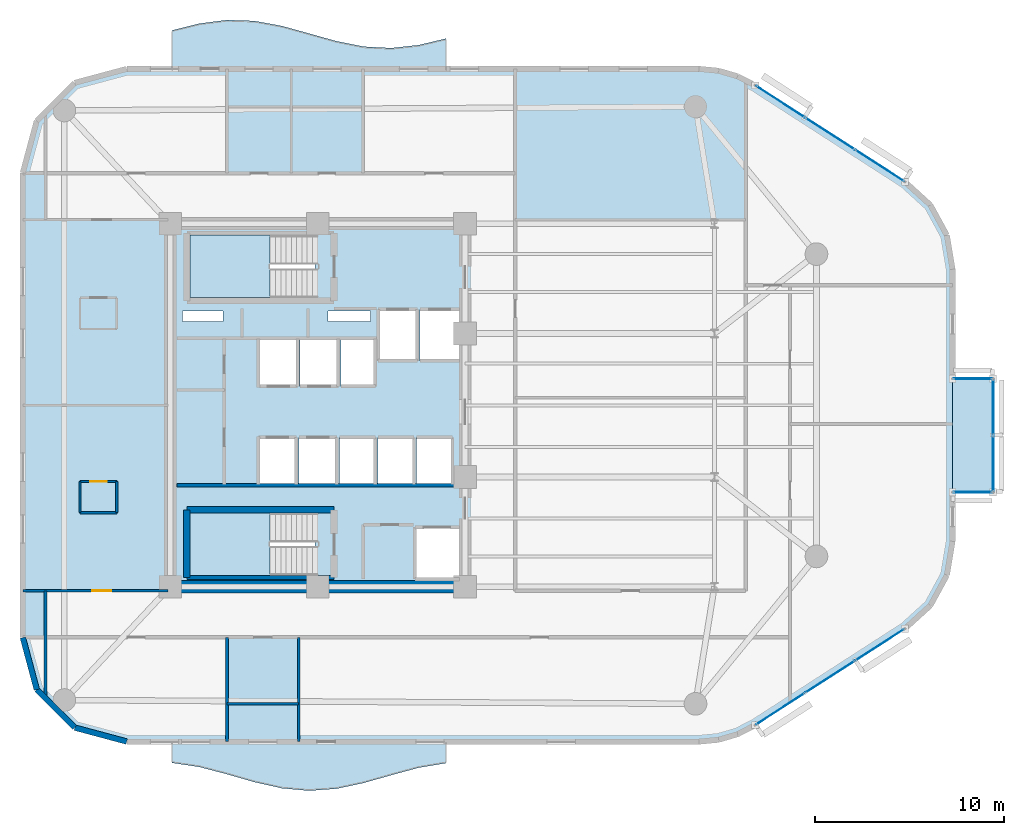
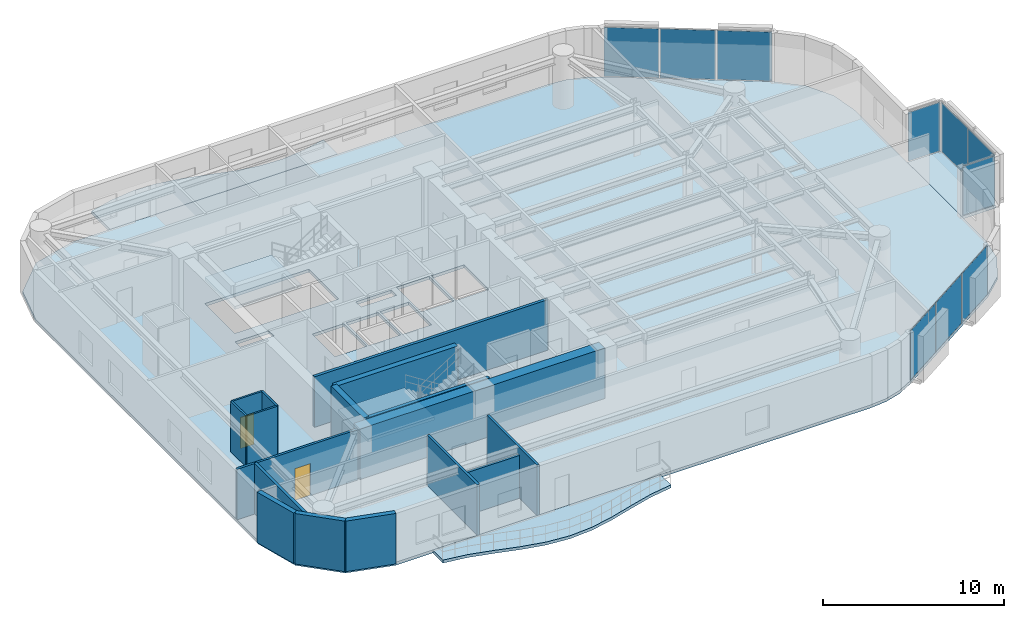
# One storey, part 10 of 16: 17 walls, 10 plates, 6 slabs, 2 doors, 2 openings, 7 elements without a shape of their own.
"""IFC4 building model written with IfcOpenShell, lengths in metres."""

from ifc_helpers import new_model, si_unit, direction, frame, frame_2d, origin, origin_2d, place, context, subcontext, project, spatial, polyline, rectangle, outline, extrude, material, layer, layer_set, type_object, element, fill, aggregate, save


model = new_model("IFC4")

# Units and contexts
model_context = context("Model", 3, precision=1e-05, world=origin(), true_north=direction((0.0, 1.0)))
body_context = subcontext(model_context, "Body", "Model", "MODEL_VIEW")
ifc_project = project(units=[si_unit("LENGTHUNIT", "METRE"), si_unit("AREAUNIT", "SQUARE_METRE"), si_unit("VOLUMEUNIT", "CUBIC_METRE"), si_unit("PLANEANGLEUNIT", "RADIAN"), si_unit("MASSUNIT", "GRAM", prefix="KILO")], contexts=[model_context])

# Site, building, storey
site_placement = place(None, origin())
site = spatial("IfcSite", under=ifc_project, at=site_placement, CompositionType="ELEMENT")
building_placement = place(site_placement, origin())
building = spatial("IfcBuilding", under=site, at=building_placement, Name="An Khanh Terracotta Commons", CompositionType="ELEMENT")
storey_placement = place(building_placement, frame((0.0, 0.0, 172.60009765625)))
storey = spatial("IfcBuildingStorey", under=building, at=storey_placement, Name="L45", CompositionType="ELEMENT", Elevation=172.60009765625)

# Curtain wall, plates
ifc_material_1 = material(Name="Anodised Aluminium 6063-T6", Category="aluminium")
ifc_layer_1 = layer(ifc_material_1, 0.2099609375, Name="Anodised Aluminium 6063-T6")
ifc_layer_set_1 = layer_set([ifc_layer_1], Name="Anodised Aluminium 6063-T6")
curtain_wall_type_1 = type_object("IfcCurtainWallType", Name="CW-SYS-03", PredefinedType="USERDEFINED", material=ifc_layer_set_1)
curtain_wall_1_placement = place(storey_placement, origin())
curtain_wall_1 = element("IfcCurtainWall", 1, at=curtain_wall_1_placement, inside=storey, type_object=curtain_wall_type_1, Name="L45 CW-03 Unitised Curtain Wall CW-L45-08", ObjectType="UNITISED CURTAIN WALL", PredefinedType="USERDEFINED")
ifc_material_2 = material(Name="Acoustic Laminated Low-E Glazing", Category="glass")
ifc_layer_2 = layer(ifc_material_2, 0.035888671875, Name="Acoustic Laminated Low-E Glazing")
ifc_layer_set_2 = layer_set([ifc_layer_2], Name="Acoustic Laminated Low-E Glazing")
plate_type_1 = type_object("IfcPlateType", Name="CWP-IGU-36", PredefinedType="CURTAIN_PANEL", material=ifc_layer_set_2)
plate_1_placement = place(storey_placement, frame((53.894287109375, 7.935546875, 0.0498046875), z_axis=(0.0, 0.0, 1.0), x_axis=(0.840702081986, 0.541497931062, 0.0)))
plate_1 = element("IfcPlate", 2, at=plate_1_placement, type_object=plate_type_1, Name="CW-03 panel 1.1", PredefinedType="CURTAIN_PANEL", context=body_context, shape_type="SweptSolid", body=[
    extrude(rectangle(XDim=3.034423828125, YDim=0.035888671875, at=origin_2d()), origin(), (0.0, 0.0, 1.0), 3.300048828125),
])
plate_2_placement = place(storey_placement, frame((56.51904296875, 9.6259765625, 0.0498046875), z_axis=(0.0, 0.0, 1.0), x_axis=(0.840702081986, 0.541497931062, 0.0)))
plate_2 = element("IfcPlate", 3, at=plate_2_placement, type_object=plate_type_1, Name="CW-03 panel 2.1", PredefinedType="CURTAIN_PANEL", context=body_context, shape_type="SweptSolid", body=[
    extrude(rectangle(XDim=3.0693359375, YDim=0.035888671875, at=origin_2d()), origin(), (0.0, 0.0, 1.0), 3.300048828125),
])
plate_3_placement = place(storey_placement, frame((59.1435546875, 11.31640625, 0.0498046875), z_axis=(0.0, 0.0, 1.0), x_axis=(0.840702081986, 0.541497931062, 0.0)))
plate_3 = element("IfcPlate", 4, at=plate_3_placement, type_object=plate_type_1, Name="CW-03 panel 3.1", PredefinedType="CURTAIN_PANEL", context=body_context, shape_type="SweptSolid", body=[
    extrude(rectangle(XDim=3.034423828125, YDim=0.035888671875, at=origin_2d()), origin(), (0.0, 0.0, 1.0), 3.300048828125),
])
aggregate(curtain_wall_1, [plate_1, plate_2, plate_3])

curtain_wall_2_placement = place(storey_placement, origin())
curtain_wall_2 = element("IfcCurtainWall", 5, at=curtain_wall_2_placement, inside=storey, type_object=curtain_wall_type_1, Name="L45 CW-03 Unitised Curtain Wall CW-L45-16", ObjectType="UNITISED CURTAIN WALL", PredefinedType="USERDEFINED")
plate_4_placement = place(storey_placement, frame((59.1435546875, 36.68359375, 0.0498046875), z_axis=(0.0, 0.0, 1.0), x_axis=(-0.840702081986, 0.541497931062, 0.0)))
plate_4 = element("IfcPlate", 6, at=plate_4_placement, type_object=plate_type_1, Name="CW-03 panel 1.1", PredefinedType="CURTAIN_PANEL", context=body_context, shape_type="SweptSolid", body=[
    extrude(rectangle(XDim=3.034423828125, YDim=0.035888671875, at=origin_2d()), origin(), (0.0, 0.0, 1.0), 3.300048828125),
])
plate_5_placement = place(storey_placement, frame((56.51904296875, 38.3740234375, 0.0498046875), z_axis=(0.0, 0.0, 1.0), x_axis=(-0.840702081986, 0.541497931062, 0.0)))
plate_5 = element("IfcPlate", 7, at=plate_5_placement, type_object=plate_type_1, Name="CW-03 panel 2.1", PredefinedType="CURTAIN_PANEL", context=body_context, shape_type="SweptSolid", body=[
    extrude(rectangle(XDim=3.0693359375, YDim=0.035888671875, at=origin_2d()), origin(), (0.0, 0.0, 1.0), 3.300048828125),
])
plate_6_placement = place(storey_placement, frame((53.894287109375, 40.064453125, 0.0498046875), z_axis=(0.0, 0.0, 1.0), x_axis=(-0.840702081986, 0.541497931062, 0.0)))
plate_6 = element("IfcPlate", 8, at=plate_6_placement, type_object=plate_type_1, Name="CW-03 panel 3.1", PredefinedType="CURTAIN_PANEL", context=body_context, shape_type="SweptSolid", body=[
    extrude(rectangle(XDim=3.034423828125, YDim=0.035888671875, at=origin_2d()), origin(), (0.0, 0.0, 1.0), 3.300048828125),
])
aggregate(curtain_wall_2, [plate_4, plate_5, plate_6])

ifc_layer_3 = layer(ifc_material_1, 0.239990234375, Name="Anodised Aluminium 6063-T6")
ifc_layer_set_3 = layer_set([ifc_layer_3], Name="Anodised Aluminium 6063-T6")
curtain_wall_type_2 = type_object("IfcCurtainWallType", Name="CW-SYS-04", PredefinedType="USERDEFINED", material=ifc_layer_set_3)
curtain_wall_3_placement = place(storey_placement, origin())
curtain_wall_3 = element("IfcCurtainWall", 9, at=curtain_wall_3_placement, inside=storey, type_object=curtain_wall_type_2, Name="L45 CW-04 Unitised Curtain Wall CW-L45-EBOX-1", ObjectType="UNITISED CURTAIN WALL", PredefinedType="USERDEFINED")
ifc_material_3 = material(Name="Triple-Silver Sky-Lobby Glazing", Category="glass")
ifc_layer_4 = layer(ifc_material_3, 0.0400390625, Name="Triple-Silver Sky-Lobby Glazing")
ifc_layer_set_4 = layer_set([ifc_layer_4], Name="Triple-Silver Sky-Lobby Glazing")
plate_type_2 = type_object("IfcPlateType", Name="CWP-IGU-40", PredefinedType="CURTAIN_PANEL", material=ifc_layer_set_4)
plate_7_placement = place(storey_placement, frame((65.14990234375, 20.916259765625, 0.06005859375), z_axis=(0.0, 0.0, 1.0), x_axis=(0.0, 1.0, 0.0)))
plate_7 = element("IfcPlate", 10, at=plate_7_placement, type_object=plate_type_2, Name="CW-04 panel 1.1", PredefinedType="CURTAIN_PANEL", context=body_context, shape_type="SweptSolid", body=[
    extrude(rectangle(XDim=2.902587890625, YDim=0.0400390625, at=origin_2d()), origin(), (0.0, 0.0, 1.0), 3.280029296875),
])
plate_8_placement = place(storey_placement, frame((65.14990234375, 23.8837890625, 0.06005859375), z_axis=(0.0, 0.0, 1.0), x_axis=(0.0, 1.0, 0.0)))
plate_8 = element("IfcPlate", 11, at=plate_8_placement, type_object=plate_type_2, Name="CW-04 panel 2.1", PredefinedType="CURTAIN_PANEL", context=body_context, shape_type="SweptSolid", body=[
    extrude(rectangle(XDim=2.902587890625, YDim=0.0400390625, at=origin_2d()), origin(), (0.0, 0.0, 1.0), 3.280029296875),
])
aggregate(curtain_wall_3, [plate_7, plate_8])

# Curtain wall, plate
curtain_wall_4_placement = place(storey_placement, origin())
curtain_wall_4 = element("IfcCurtainWall", 12, at=curtain_wall_4_placement, inside=storey, type_object=curtain_wall_type_2, Name="L45 CW-04 Unitised Curtain Wall CW-L45-EBOX-2", ObjectType="UNITISED CURTAIN WALL", PredefinedType="USERDEFINED")
plate_9_placement = place(storey_placement, frame((64.074951171875, 19.39990234375, 0.06005859375), z_axis=(0.0, 0.0, 1.0), x_axis=(1.0, 0.0, 0.0)))
plate_9 = element("IfcPlate", 13, at=plate_9_placement, type_object=plate_type_2, Name="CW-04 panel 1.1", PredefinedType="CURTAIN_PANEL", context=body_context, shape_type="SweptSolid", body=[
    extrude(rectangle(XDim=2.02001953125, YDim=0.0400390625, at=origin_2d()), origin(), (0.0, 0.0, 1.0), 3.280029296875),
])
aggregate(curtain_wall_4, [plate_9])

curtain_wall_5_placement = place(storey_placement, origin())
curtain_wall_5 = element("IfcCurtainWall", 14, at=curtain_wall_5_placement, inside=storey, type_object=curtain_wall_type_2, Name="L45 CW-04 Unitised Curtain Wall CW-L45-EBOX-3", ObjectType="UNITISED CURTAIN WALL", PredefinedType="USERDEFINED")
plate_10_placement = place(storey_placement, frame((64.074951171875, 25.39990234375, 0.06005859375), z_axis=(0.0, 0.0, 1.0), x_axis=(-1.0, 0.0, 0.0)))
plate_10 = element("IfcPlate", 15, at=plate_10_placement, type_object=plate_type_2, Name="CW-04 panel 1.1", PredefinedType="CURTAIN_PANEL", context=body_context, shape_type="SweptSolid", body=[
    extrude(rectangle(XDim=2.02001953125, YDim=0.0400390625, at=origin_2d()), origin(), (0.0, 0.0, 1.0), 3.280029296875),
])
aggregate(curtain_wall_5, [plate_10])

# Slabs
ifc_material_4 = material(Name="Concrete C40/50", Category="concrete")
ifc_layer_5 = layer(ifc_material_4, 0.199951171875, Name="Concrete C40/50")
ifc_layer_set_5 = layer_set([ifc_layer_5], Name="Concrete C40/50")
slab_type_1 = type_object("IfcSlabType", Name="SLAB-BALC-200", PredefinedType="FLOOR", material=ifc_layer_set_5)
slab_1_placement = place(storey_placement, frame((0.0, 0.0, -0.2001953125)))
element("IfcSlab", 16, at=slab_1_placement, inside=storey, type_object=slab_type_1, Name="L45 S Sinusoidal Wave Balcony Slab", PredefinedType="FLOOR", context=body_context, shape_type="SweptSolid", body=[
    extrude(outline(polyline([(21.699951171875, 6.199951171875), (21.699951171875, 5.073974609375), (23.14990234375, 4.85498046875), (24.60009765625, 4.47705078125), (26.050048828125, 4.05810546875), (27.5, 3.73193359375), (28.949951171875, 3.60009765625), (30.39990234375, 3.705078125), (31.85009765625, 4.013916015625), (33.300048828125, 4.427978515625), (34.75, 4.818115234375), (36.199951171875, 5.06005859375), (36.199951171875, 6.199951171875), (21.699951171875, 6.199951171875)])), origin(), (0.0, 0.0, 1.0), 0.2001953125),
])
slab_2_placement = place(storey_placement, frame((0.0, 0.0, -0.2001953125)))
element("IfcSlab", 17, at=slab_2_placement, inside=storey, type_object=slab_type_1, Name="L45 N Sinusoidal Wave Balcony Slab", PredefinedType="FLOOR", context=body_context, shape_type="SweptSolid", body=[
    extrude(outline(polyline([(36.199951171875, 41.800048828125), (36.199951171875, 43.408935546875), (34.75, 43.06396484375), (33.300048828125, 42.904052734375), (31.85009765625, 42.97998046875), (30.39990234375, 43.26708984375), (28.949951171875, 43.675048828125), (27.5, 44.074951171875), (26.050048828125, 44.341064453125), (24.60009765625, 44.388916015625), (23.14990234375, 44.2041015625), (21.699951171875, 43.843994140625), (21.699951171875, 41.800048828125), (36.199951171875, 41.800048828125)])), origin(), (0.0, 0.0, 1.0), 0.2001953125),
])

# Stair, slab
ifc_material_5 = material(Name="Precast concrete C40/50", Category="concrete")
stair_type = type_object("IfcStairType", Name="STAIR-CORE-1550", PredefinedType="HALF_TURN_STAIR", material=ifc_material_5)
stair_1_placement = place(storey_placement, origin())
stair_1 = element("IfcStair", 18, at=stair_1_placement, inside=storey, type_object=stair_type, Name="L45 Core Smokeproof Exit Stair ST-01", PredefinedType="HALF_TURN_STAIR")
ifc_layer_6 = layer(ifc_material_4, 0.18994140625, Name="Concrete C40/50")
ifc_layer_set_6 = layer_set([ifc_layer_6], Name="Concrete C40/50")
slab_type_2 = type_object("IfcSlabType", Name="SLAB-LANDING-190", PredefinedType="LANDING", material=ifc_layer_set_6)
slab_3_placement = place(storey_placement, frame((0.0, 0.0, 1.599853515625)))
slab_3 = element("IfcSlab", 19, at=slab_3_placement, type_object=slab_type_2, Name="ST-01 landing 1", PredefinedType="LANDING", context=body_context, shape_type="SweptSolid", body=[
    extrude(outline(polyline([(26.889892578125, 33.0), (22.64990234375, 33.0), (22.64990234375, 29.699951171875), (26.889892578125, 29.699951171875), (26.889892578125, 33.0)])), origin(), (0.0, 0.0, 1.0), 0.199951171875),
])
aggregate(stair_1, [slab_3])

stair_2_placement = place(storey_placement, origin())
stair_2 = element("IfcStair", 20, at=stair_2_placement, inside=storey, type_object=stair_type, Name="L45 Core Smokeproof Exit Stair ST-02", PredefinedType="HALF_TURN_STAIR")
slab_4_placement = place(storey_placement, frame((0.0, 0.0, 1.599853515625)))
slab_4 = element("IfcSlab", 21, at=slab_4_placement, type_object=slab_type_2, Name="ST-02 landing 1", PredefinedType="LANDING", context=body_context, shape_type="SweptSolid", body=[
    extrude(outline(polyline([(26.889892578125, 18.300048828125), (22.64990234375, 18.300048828125), (22.64990234375, 15.0), (26.889892578125, 15.0), (26.889892578125, 18.300048828125)])), origin(), (0.0, 0.0, 1.0), 0.199951171875),
])
aggregate(stair_2, [slab_4])

# Slabs
ifc_layer_7 = layer(ifc_material_4, 0.199951171875, Name="Concrete C40/50")
ifc_layer_set_7 = layer_set([ifc_layer_7], Name="Concrete C40/50")
slab_type_3 = type_object("IfcSlabType", Name="SLAB-TYP-200", PredefinedType="FLOOR", material=ifc_layer_set_7)
slab_5_placement = place(storey_placement, frame((0.0, 0.0, -0.2001953125)))
element("IfcSlab", 22, at=slab_5_placement, inside=storey, type_object=slab_type_3, Name="L45 Structural Floor Slab", PredefinedType="FLOOR", context=body_context, shape_type="SweptSolid", body=[
    extrude(outline(polyline([(13.800048828125, 11.699951171875), (14.537109375, 8.949951171875), (16.550048828125, 6.93701171875), (19.300048828125, 6.199951171875), (49.58203125, 6.199951171875), (50.625, 6.300048828125), (51.6298828125, 6.594970703125), (52.56005859375, 7.075927734375), (60.47802734375, 12.176025390625), (61.825927734375, 13.403076171875), (62.697998046875, 15.0029296875), (63.0, 16.800048828125), (63.0, 31.199951171875), (62.697998046875, 32.9970703125), (61.825927734375, 34.596923828125), (60.47802734375, 35.823974609375), (52.56005859375, 40.924072265625), (51.6298828125, 41.405029296875), (50.625, 41.699951171875), (49.58203125, 41.800048828125), (19.300048828125, 41.800048828125), (16.550048828125, 41.06298828125), (14.537109375, 39.050048828125), (13.800048828125, 36.300048828125), (13.800048828125, 11.699951171875)]), holes=[polyline([(22.64990234375, 29.699951171875), (29.27001953125, 29.699951171875), (29.27001953125, 33.0), (22.64990234375, 33.0), (22.64990234375, 29.699951171875)]), polyline([(22.64990234375, 15.0), (29.27001953125, 15.0), (29.27001953125, 18.300048828125), (22.64990234375, 18.300048828125), (22.64990234375, 15.0)]), polyline([(32.60009765625, 26.35009765625), (34.679931640625, 26.35009765625), (34.679931640625, 29.080078125), (32.60009765625, 29.080078125), (32.60009765625, 26.35009765625)]), polyline([(34.820068359375, 26.35009765625), (36.89990234375, 26.35009765625), (36.89990234375, 29.080078125), (34.820068359375, 29.080078125), (34.820068359375, 26.35009765625)]), polyline([(34.550048828125, 14.800048828125), (36.89990234375, 14.800048828125), (36.89990234375, 17.550048828125), (34.550048828125, 17.550048828125), (34.550048828125, 14.800048828125)]), polyline([(26.320068359375, 25.0), (28.340087890625, 25.0), (28.340087890625, 27.5), (26.320068359375, 27.5), (26.320068359375, 25.0)]), polyline([(28.47998046875, 25.0), (30.5, 25.0), (30.5, 27.5), (28.47998046875, 27.5), (28.47998046875, 25.0)]), polyline([(26.280029296875, 19.800048828125), (28.280029296875, 19.800048828125), (28.280029296875, 22.300048828125), (26.280029296875, 22.300048828125), (26.280029296875, 19.800048828125)]), polyline([(28.419921875, 19.800048828125), (30.419921875, 19.800048828125), (30.419921875, 22.300048828125), (28.419921875, 22.300048828125), (28.419921875, 19.800048828125)]), polyline([(30.639892578125, 25.0), (32.4599609375, 25.0), (32.4599609375, 27.5), (30.639892578125, 27.5), (30.639892578125, 25.0)]), polyline([(30.56005859375, 19.800048828125), (32.4599609375, 19.800048828125), (32.4599609375, 22.300048828125), (30.56005859375, 22.300048828125), (30.56005859375, 19.800048828125)]), polyline([(32.60009765625, 19.800048828125), (34.5, 19.800048828125), (34.5, 22.300048828125), (32.60009765625, 22.300048828125), (32.60009765625, 19.800048828125)]), polyline([(34.639892578125, 19.800048828125), (36.5400390625, 19.800048828125), (36.5400390625, 22.300048828125), (34.639892578125, 22.300048828125), (34.639892578125, 19.800048828125)]), polyline([(22.25, 28.419921875), (24.39990234375, 28.419921875), (24.39990234375, 28.97998046875), (22.25, 28.97998046875), (22.25, 28.419921875)]), polyline([(29.949951171875, 28.419921875), (32.199951171875, 28.419921875), (32.199951171875, 28.97998046875), (29.949951171875, 28.97998046875), (29.949951171875, 28.419921875)])]), origin(), (0.0, 0.0, 1.0), 0.2001953125),
])
slab_6_placement = place(storey_placement, frame((0.0, 0.0, -0.2001953125)))
element("IfcSlab", 23, at=slab_6_placement, inside=storey, type_object=slab_type_3, Name="L45 Shifted Social Kitchen Box Floor Slab", PredefinedType="FLOOR", context=body_context, shape_type="SweptSolid", body=[
    extrude(outline(polyline([(63.0, 19.39990234375), (65.14990234375, 19.39990234375), (65.14990234375, 25.39990234375), (63.0, 25.39990234375), (63.0, 19.39990234375)])), origin(), (0.0, 0.0, 1.0), 0.2001953125),
])

# Walls
ifc_material_6 = material(Name="Concrete C60/75", Category="concrete")
ifc_layer_8 = layer(ifc_material_6, 0.64990234375, Name="Concrete C60/75")
ifc_layer_set_8 = layer_set([ifc_layer_8], Name="Concrete C60/75")
wall_type_1 = type_object("IfcWallType", Name="WALL-CORE-650", PredefinedType="SHEAR", material=ifc_layer_set_8)
wall_1_placement = place(storey_placement, frame((37.199951171875, 14.39990234375, 0.0), z_axis=(0.0, 0.0, 1.0), x_axis=(-1.0, 0.0, 0.0)))
element("IfcWall", 24, at=wall_1_placement, inside=storey, type_object=wall_type_1, Name="L45 Core Wall CWALL-L45-S", PredefinedType="SHEAR", context=body_context, shape_type="SweptSolid", body=[
    extrude(rectangle(XDim=15.599853515625, YDim=0.64990234375, at=frame_2d((7.7998046875, 0.0))), origin(), (0.0, 0.0, 1.0), 3.39990234375),
])
ifc_material_7 = material(Name="Fire-Rated Gypsum Board on Steel Stud", Category="steel")
ifc_layer_9 = layer(ifc_material_7, 0.179931640625, Name="Fire-Rated Gypsum Board on Steel Stud")
ifc_layer_set_9 = layer_set([ifc_layer_9], Name="Fire-Rated Gypsum Board on Steel Stud")
wall_type_2 = type_object("IfcWallType", Name="WALL-CORR-180", PredefinedType="PARTITIONING", material=ifc_layer_set_9)
wall_2_placement = place(storey_placement, frame((21.949951171875, 19.760009765625, 0.0), z_axis=(0.0, 0.0, 1.0), x_axis=(1.0, 0.0, 0.0)))
element("IfcWall", 25, at=wall_2_placement, inside=storey, type_object=wall_type_2, Name="L45 Core Wall SVW-L45-N", PredefinedType="PARTITIONING", context=body_context, shape_type="SweptSolid", body=[
    extrude(rectangle(XDim=14.8701171875, YDim=0.179931640625, at=frame_2d((7.43505859375, 0.0))), origin(), (0.0, 0.0, 1.0), 3.39990234375),
])
wall_3_placement = place(storey_placement, frame((15.0, 8.487060546875, 0.0), z_axis=(0.0, 0.0, 1.0), x_axis=(0.0, 1.0, 0.0)))
element("IfcWall", 26, at=wall_3_placement, inside=storey, type_object=wall_type_2, Name="L45 Interior Partition IW-L45-E013", PredefinedType="PARTITIONING", context=body_context, shape_type="SweptSolid", body=[
    extrude(rectangle(XDim=5.69287109375, YDim=0.179931640625, at=frame_2d((2.846435546875, 0.0))), origin(), (0.0, 0.0, 1.0), 3.39990234375),
])
ifc_layer_10 = layer(ifc_material_5, 0.300048828125, Name="Precast concrete C40/50")
ifc_layer_set_10 = layer_set([ifc_layer_10], Name="Precast concrete C40/50")
wall_type_3 = type_object("IfcWallType", Name="WALL-EXT-300", PredefinedType="SOLIDWALL", material=ifc_layer_set_10)
wall_4_placement = place(storey_placement, frame((13.800048828125, 11.699951171875, 0.0), z_axis=(0.0, 0.0, 1.0), x_axis=(0.258884674387, -0.965908238586, 0.0)))
element("IfcWall", 27, at=wall_4_placement, inside=storey, type_object=wall_type_3, Name="L45 Insulated Terracotta Exterior Wall 1", PredefinedType="SOLIDWALL", context=body_context, shape_type="SweptSolid", body=[
    extrude(rectangle(XDim=2.84716796875, YDim=0.300048828125, at=frame_2d((1.423583984375, 0.0))), origin(), (0.0, 0.0, 1.0), 3.39990234375),
])
wall_5_placement = place(storey_placement, frame((14.537109375, 8.949951171875, 0.0), z_axis=(0.0, 0.0, 1.0), x_axis=(0.707106781187, -0.707106781187, 0.0)))
element("IfcWall", 28, at=wall_5_placement, inside=storey, type_object=wall_type_3, Name="L45 Insulated Terracotta Exterior Wall 2", PredefinedType="SOLIDWALL", context=body_context, shape_type="SweptSolid", body=[
    extrude(rectangle(XDim=2.8466796875, YDim=0.300048828125, at=frame_2d((1.42333984375, 0.0))), origin(), (0.0, 0.0, 1.0), 3.39990234375),
])
wall_6_placement = place(storey_placement, frame((16.550048828125, 6.93701171875, 0.0), z_axis=(0.0, 0.0, 1.0), x_axis=(0.965908238586, -0.258884674387, 0.0)))
element("IfcWall", 29, at=wall_6_placement, inside=storey, type_object=wall_type_3, Name="L45 Insulated Terracotta Exterior Wall 3", PredefinedType="SOLIDWALL", context=body_context, shape_type="SweptSolid", body=[
    extrude(rectangle(XDim=2.84716796875, YDim=0.300048828125, at=frame_2d((1.423583984375, 0.0))), origin(), (0.0, 0.0, 1.0), 3.39990234375),
])
ifc_material_8 = material(Name="Acoustic Gypsum Board Partition")
ifc_layer_11 = layer(ifc_material_8, 0.14990234375, Name="Acoustic Gypsum Board Partition")
ifc_layer_set_11 = layer_set([ifc_layer_11], Name="Acoustic Gypsum Board Partition")
wall_type_4 = type_object("IfcWallType", Name="WALL-PART-150", PredefinedType="PARTITIONING", material=ifc_layer_set_11)
wall_7_placement = place(storey_placement, frame((24.60009765625, 8.199951171875, 0.0), z_axis=(0.0, 0.0, 1.0), x_axis=(1.0, 0.0, 0.0)))
element("IfcWall", 30, at=wall_7_placement, inside=storey, type_object=wall_type_4, Name="L45 Interior Partition IW-L45-E001", PredefinedType="PARTITIONING", context=body_context, shape_type="SweptSolid", body=[
    extrude(rectangle(XDim=3.7998046875, YDim=0.14990234375, at=frame_2d((1.89990234375, 0.0))), origin(), (0.0, 0.0, 1.0), 2.8818359375),
])

# Wall, opening, door
wall_8_placement = place(storey_placement, frame((13.800048828125, 14.179931640625, 0.0), z_axis=(0.0, 0.0, 1.0), x_axis=(1.0, 0.0, 0.0)))
wall_8 = element("IfcWall", 31, at=wall_8_placement, inside=storey, type_object=wall_type_4, Name="L45 Interior Partition IW-L45-E003", PredefinedType="PARTITIONING", context=body_context, shape_type="SweptSolid", body=[
    extrude(rectangle(XDim=7.679931640625, YDim=0.14990234375, at=frame_2d((3.83984375, 0.0))), origin(), (0.0, 0.0, 1.0), 3.39990234375),
])
opening_1_placement = place(wall_8_placement, frame((3.679931640625, 0.0, 0.0)))
opening_1 = element("IfcOpeningElement", 32, at=opening_1_placement, cuts=wall_8, Name="Opening D-UN", PredefinedType="OPENING", context=body_context, shape_type="SweptSolid", body=[
    extrude(rectangle(XDim=1.0, YDim=2.14990234375, at=frame_2d((0.5, 1.074951171875))), frame((0.0, 0.0849609375, 0.0), z_axis=(0.0, -1.0, 0.0), x_axis=(1.0, 0.0, 0.0)), (0.0, 0.0, 1.0), 0.169921875),
])
ifc_material_9 = material(Name="Solid-Core Hardwood Acoustic Fire Door", Category="wood")
door_type_1 = type_object("IfcDoorType", Name="DOOR-UNIT-1000", OperationType="NOTDEFINED", PredefinedType="DOOR", material=ifc_material_9)
door_1_placement = place(opening_1_placement, origin())
door_1 = element("IfcDoor", 33, at=door_1_placement, inside=storey, type_object=door_type_1, Name="L45 WW1 Kitchenette and Studio Apartment Door", OperationType="SINGLE_SWING_RIGHT", OverallHeight=2.14990234375, OverallWidth=1.0, PredefinedType="DOOR", context=body_context, shape_type="SweptSolid", body=[
    extrude(rectangle(XDim=1.0, YDim=2.14990234375, at=frame_2d((0.5, 1.074951171875))), frame((0.0, 0.02490234375, 0.0), z_axis=(0.0, -1.0, 0.0), x_axis=(1.0, 0.0, 0.0)), (0.0, 0.0, 1.0), 0.050048828125),
])
fill(opening_1, door_1)

# Walls
for number, where, z_axis, x_axis, name in (
    (34, (24.60009765625, 6.199951171875, 0.0), (0.0, 0.0, 1.0), (0.0, 1.0, 0.0), "L45 Interior Partition IW-L45-E015"),
    (35, (28.39990234375, 6.199951171875, 0.0), (0.0, 0.0, 1.0), (0.0, 1.0, 0.0), "L45 Interior Partition IW-L45-E018"),
):
    element("IfcWall", number, at=place(storey_placement, frame(where, z_axis=z_axis, x_axis=x_axis)), inside=storey, type_object=wall_type_4, Name=name, PredefinedType="PARTITIONING", context=body_context, shape_type="SweptSolid", body=[
        extrude(rectangle(XDim=5.52001953125, YDim=0.14990234375, at=frame_2d((2.760009765625, 0.0))), origin(), (0.0, 0.0, 1.0), 3.39990234375),
    ])
ifc_material_10 = material(Name="Acoustic Double-Stud Gypsum and Mineral Wool")
ifc_layer_12 = layer(ifc_material_10, 0.219970703125, Name="Acoustic Double-Stud Gypsum and Mineral Wool")
ifc_layer_set_12 = layer_set([ifc_layer_12], Name="Acoustic Double-Stud Gypsum and Mineral Wool")
wall_type_5 = type_object("IfcWallType", Name="WALL-PARTY-220", PredefinedType="PARTITIONING", material=ifc_layer_set_12)
wall_9_placement = place(storey_placement, frame((22.47998046875, 14.889892578125, 0.0), z_axis=(0.0, 0.0, 1.0), x_axis=(1.0, 0.0, 0.0)))
element("IfcWall", 36, at=wall_9_placement, inside=storey, type_object=wall_type_5, Name="L45 Core Wall STW-L45-S-S", PredefinedType="PARTITIONING", context=body_context, shape_type="SweptSolid", body=[
    extrude(rectangle(XDim=7.7900390625, YDim=0.219970703125, at=frame_2d((3.89501953125, 0.0))), origin(), (0.0, 0.0, 1.0), 3.39990234375),
])
ifc_material_11 = material(Name="Concrete C50/60", Category="concrete")
ifc_layer_13 = layer(ifc_material_11, 0.35009765625, Name="Concrete C50/60")
ifc_layer_set_13 = layer_set([ifc_layer_13], Name="Concrete C50/60")
wall_type_6 = type_object("IfcWallType", Name="WALL-SHAFT-350", PredefinedType="SOLIDWALL", material=ifc_layer_set_13)
wall_10_placement = place(storey_placement, frame((22.47998046875, 18.469970703125, 0.0), z_axis=(0.0, 0.0, 1.0), x_axis=(1.0, 0.0, 0.0)))
element("IfcWall", 37, at=wall_10_placement, inside=storey, type_object=wall_type_6, Name="L45 Core Wall STW-L45-S-N", PredefinedType="SOLIDWALL", context=body_context, shape_type="SweptSolid", body=[
    extrude(rectangle(XDim=7.7900390625, YDim=0.35009765625, at=frame_2d((3.89501953125, 0.0))), origin(), (0.0, 0.0, 1.0), 3.39990234375),
])
wall_11_placement = place(storey_placement, frame((22.47998046875, 14.889892578125, 0.0), z_axis=(0.0, 0.0, 1.0), x_axis=(0.0, 1.0, 0.0)))
element("IfcWall", 38, at=wall_11_placement, inside=storey, type_object=wall_type_6, Name="L45 Core Wall STW-L45-S-W", PredefinedType="SOLIDWALL", context=body_context, shape_type="SweptSolid", body=[
    extrude(rectangle(XDim=3.580078125, YDim=0.35009765625, at=frame_2d((1.7900390625, 0.0))), origin(), (0.0, 0.0, 1.0), 3.39990234375),
])

# Wall, opening, door
ifc_material_12 = material(Name="Moisture-Resistant Cement Board Partition")
ifc_layer_14 = layer(ifc_material_12, 0.1201171875, Name="Moisture-Resistant Cement Board Partition")
ifc_layer_set_14 = layer_set([ifc_layer_14], Name="Moisture-Resistant Cement Board Partition")
wall_type_7 = type_object("IfcWallType", Name="WALL-WET-120", PredefinedType="PARTITIONING", material=ifc_layer_set_14)
wall_12_placement = place(storey_placement, frame((16.824951171875, 19.965087890625, 0.0), z_axis=(0.0, 0.0, 1.0), x_axis=(1.0, 0.0, 0.0)))
wall_12 = element("IfcWall", 39, at=wall_12_placement, inside=storey, type_object=wall_type_7, Name="L45 Interior Partition IW-L45-WW1-BN", PredefinedType="PARTITIONING", context=body_context, shape_type="SweptSolid", body=[
    extrude(rectangle(XDim=1.949951171875, YDim=0.1201171875, at=frame_2d((0.97509765625, 0.0))), origin(), (0.0, 0.0, 1.0), 3.39990234375),
])
opening_2_placement = place(wall_12_placement, frame((0.544921875, 0.0, 0.0)))
opening_2 = element("IfcOpeningElement", 40, at=opening_2_placement, cuts=wall_12, Name="Opening D-ENS", PredefinedType="OPENING", context=body_context, shape_type="SweptSolid", body=[
    extrude(rectangle(XDim=0.860107421875, YDim=2.10009765625, at=frame_2d((0.43017578125, 1.050048828125))), frame((0.0, 0.070068359375, 0.0), z_axis=(0.0, -1.0, 0.0), x_axis=(1.0, 0.0, 0.0)), (0.0, 0.0, 1.0), 0.14013671875),
])
ifc_material_13 = material(Name="Moisture-Resistant Hardwood Timber Leaf", Category="wood")
door_type_2 = type_object("IfcDoorType", Name="DOOR-BATH-860", OperationType="NOTDEFINED", PredefinedType="DOOR", material=ifc_material_13)
door_2_placement = place(opening_2_placement, origin())
door_2 = element("IfcDoor", 41, at=door_2_placement, inside=storey, type_object=door_type_2, Name="L45 Studio WW1 En-suite Door", OperationType="SINGLE_SWING_RIGHT", OverallHeight=2.10009765625, OverallWidth=0.860107421875, PredefinedType="DOOR", context=body_context, shape_type="SweptSolid", body=[
    extrude(rectangle(XDim=0.860107421875, YDim=2.10009765625, at=frame_2d((0.43017578125, 1.050048828125))), frame((0.0, 0.02490234375, 0.0), z_axis=(0.0, -1.0, 0.0), x_axis=(1.0, 0.0, 0.0)), (0.0, 0.0, 1.0), 0.050048828125),
])
fill(opening_2, door_2)

# Walls
wall_13_placement = place(storey_placement, frame((18.77490234375, 18.31494140625, 0.0), z_axis=(0.0, 0.0, 1.0), x_axis=(-1.0, 0.0, 0.0)))
element("IfcWall", 42, at=wall_13_placement, inside=storey, type_object=wall_type_7, Name="L45 Interior Partition IW-L45-WW1-BS", PredefinedType="PARTITIONING", context=body_context, shape_type="SweptSolid", body=[
    extrude(rectangle(XDim=1.949951171875, YDim=0.1201171875, at=frame_2d((0.97509765625, 0.0))), origin(), (0.0, 0.0, 1.0), 3.39990234375),
])
for number, where, z_axis, x_axis, name in (
    (43, (16.824951171875, 19.965087890625, 0.0), (0.0, 0.0, 1.0), (0.0, -1.0, 0.0), "L45 Interior Partition IW-L45-WW1-BW"),
    (44, (18.77490234375, 18.31494140625, 0.0), (0.0, 0.0, 1.0), (0.0, 1.0, 0.0), "L45 Interior Partition IW-L45-WW1-BE"),
):
    element("IfcWall", number, at=place(storey_placement, frame(where, z_axis=z_axis, x_axis=x_axis)), inside=storey, type_object=wall_type_7, Name=name, PredefinedType="PARTITIONING", context=body_context, shape_type="SweptSolid", body=[
        extrude(rectangle(XDim=1.650146484375, YDim=0.1201171875, at=frame_2d((0.8251953125, 0.0))), origin(), (0.0, 0.0, 1.0), 3.39990234375),
    ])

save(model, "model.ifc")
